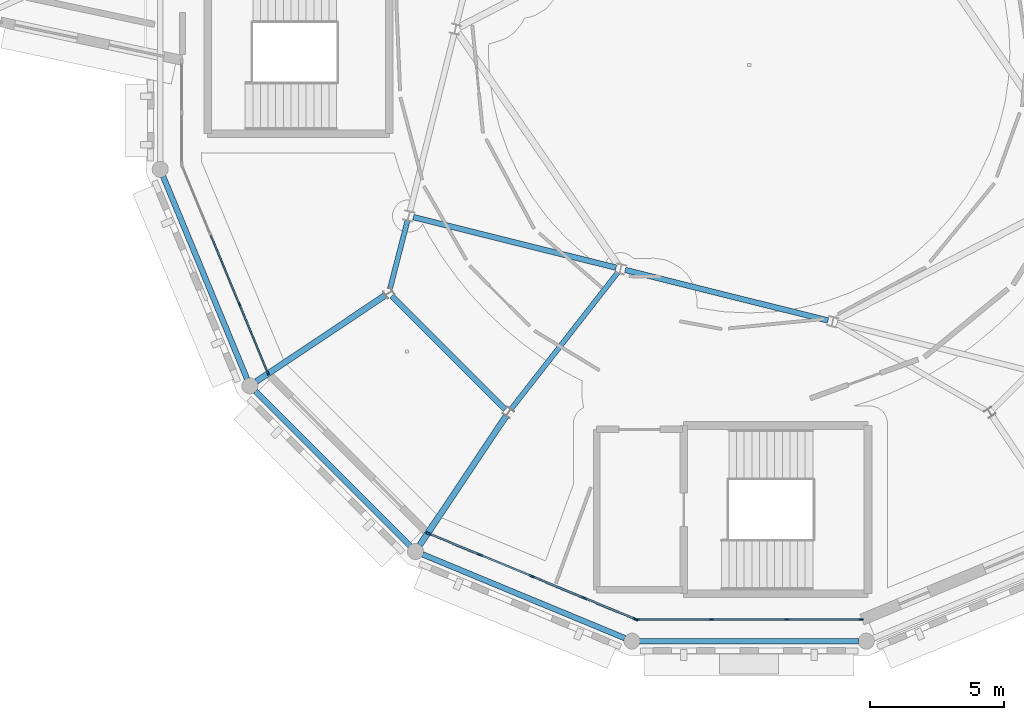
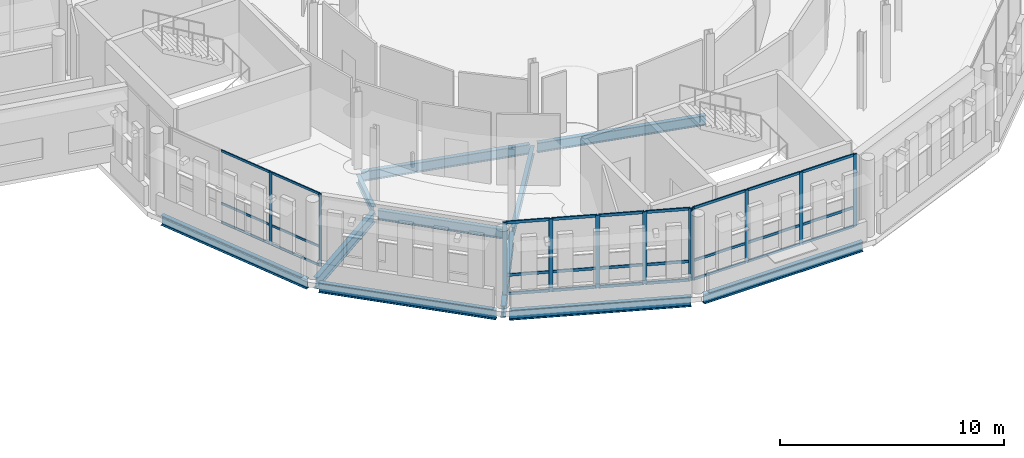
# One storey, part 54 of 125: 38 members, 11 beams, 3 elements without a shape of their own.
"""IFC4 building model written with IfcOpenShell, lengths in metres."""

from ifc_helpers import new_model, si_unit, direction, frame, origin, origin_2d, place, context, subcontext, project, spatial, rectangle, i_section, extrude, material, material_profile, profile_set, type_object, element, aggregate, save


model = new_model("IFC4")

# Units and contexts
model_context = context("Model", 3, precision=1e-05, world=origin(), true_north=direction((0.0, 1.0)))
body_context = subcontext(model_context, "Body", "Model", "MODEL_VIEW")
ifc_project = project(units=[si_unit("LENGTHUNIT", "METRE"), si_unit("AREAUNIT", "SQUARE_METRE"), si_unit("VOLUMEUNIT", "CUBIC_METRE"), si_unit("PLANEANGLEUNIT", "RADIAN"), si_unit("MASSUNIT", "GRAM", prefix="KILO")], contexts=[model_context])

# Site, building, storey
site_placement = place(None, origin())
site = spatial("IfcSite", under=ifc_project, at=site_placement, CompositionType="ELEMENT")
building_placement = place(site_placement, origin())
building = spatial("IfcBuilding", under=site, at=building_placement, Name="Wrenclough Park School", CompositionType="ELEMENT")
storey_placement = place(building_placement, frame((0.0, 0.0, 4.199951171875)))
storey = spatial("IfcBuildingStorey", under=building, at=storey_placement, Name="L01", CompositionType="ELEMENT", Elevation=4.199951171875)

# Curtain wall, members
ifc_material_1 = material(Name="Thermally broken aluminium and low-e glass curtain wall", Category="aluminium")
curtain_wall_type_1 = type_object("IfcCurtainWallType", Name="ENV-CW-02", PredefinedType="USERDEFINED", material=ifc_material_1)
curtain_wall_1_placement = place(storey_placement, origin())
curtain_wall_1 = element("IfcCurtainWall", 1, at=curtain_wall_1_placement, inside=storey, type_object=curtain_wall_type_1, Name="L01 recessed curtain wall assembly 129", ObjectType="CURTAIN WALL", PredefinedType="USERDEFINED")
ifc_material_2 = material(Name="Thermally broken anodised aluminium", Category="aluminium")
ifc_material_profile_1 = material_profile(ifc_material_2, rectangle(XDim=0.06005859375, YDim=0.159912109375, at=origin_2d()), Name="AL MULLION 60x160")
ifc_profile_set_1 = profile_set([ifc_material_profile_1], Name="Thermally broken anodised aluminium")
member_type_1 = type_object("IfcMemberType", Name="ENV-CWM-1", PredefinedType="MULLION", material=ifc_profile_set_1)
member_1_placement = place(storey_placement, frame((137.504150390625, 14.515869140625, 0.0), z_axis=(0.0, 0.0, 1.0), x_axis=(-0.923878191205, -0.382686670549, 0.0)))
member_1 = element("IfcMember", 2, at=member_1_placement, type_object=member_type_1, Name="CW-02 mullion 1", PredefinedType="MULLION", context=body_context, shape_type="SweptSolid", body=[
    extrude(rectangle(XDim=0.06005859375, YDim=0.159912109375, at=origin_2d()), origin(), (0.0, 0.0, 1.0), 3.93994140625),
])
member_2_placement = place(storey_placement, frame((136.440185546875, 17.08447265625, 0.0), z_axis=(0.0, 0.0, 1.0), x_axis=(-0.923878191205, -0.382686670549, 0.0)))
member_2 = element("IfcMember", 3, at=member_2_placement, type_object=member_type_1, Name="CW-02 mullion 2", PredefinedType="MULLION", context=body_context, shape_type="SweptSolid", body=[
    extrude(rectangle(XDim=0.06005859375, YDim=0.159912109375, at=origin_2d()), origin(), (0.0, 0.0, 1.0), 3.93994140625),
])

curtain_wall_type_2 = type_object("IfcCurtainWallType", Name="ENV-CW-16", PredefinedType="USERDEFINED", material=ifc_material_1)
curtain_wall_2_placement = place(storey_placement, origin())
curtain_wall_2 = element("IfcCurtainWall", 4, at=curtain_wall_2_placement, inside=storey, type_object=curtain_wall_type_2, Name="L01 recessed curtain wall assembly 127", ObjectType="CURTAIN WALL", PredefinedType="USERDEFINED")
ifc_material_profile_2 = material_profile(ifc_material_2, rectangle(XDim=0.06494140625, YDim=0.179931640625, at=origin_2d()), Name="AL MULLION 65x180")
ifc_profile_set_2 = profile_set([ifc_material_profile_2], Name="Thermally broken anodised aluminium")
member_type_2 = type_object("IfcMemberType", Name="ENV-CWM-2", PredefinedType="MULLION", material=ifc_profile_set_2)
member_3_placement = place(storey_placement, frame((159.682861328125, 5.287841796875, 0.0), z_axis=(0.0, 0.0, 1.0), x_axis=(0.0, -1.0, 0.0)))
member_3 = element("IfcMember", 5, at=member_3_placement, type_object=member_type_2, Name="CW-16 mullion 1", PredefinedType="MULLION", context=body_context, shape_type="SweptSolid", body=[
    extrude(rectangle(XDim=0.06494140625, YDim=0.179931640625, at=origin_2d()), origin(), (0.0, 0.0, 1.0), 3.93994140625),
])
member_4_placement = place(storey_placement, frame((156.905029296875, 5.287841796875, 0.0), z_axis=(0.0, 0.0, 1.0), x_axis=(0.0, -1.0, 0.0)))
member_4 = element("IfcMember", 6, at=member_4_placement, type_object=member_type_2, Name="CW-16 mullion 2", PredefinedType="MULLION", context=body_context, shape_type="SweptSolid", body=[
    extrude(rectangle(XDim=0.06494140625, YDim=0.179931640625, at=origin_2d()), origin(), (0.0, 0.0, 1.0), 3.93994140625),
])
member_5_placement = place(storey_placement, frame((154.094970703125, 5.287841796875, 0.0), z_axis=(0.0, 0.0, 1.0), x_axis=(0.0, -1.0, 0.0)))
member_5 = element("IfcMember", 7, at=member_5_placement, type_object=member_type_2, Name="CW-16 mullion 3", PredefinedType="MULLION", context=body_context, shape_type="SweptSolid", body=[
    extrude(rectangle(XDim=0.06494140625, YDim=0.179931640625, at=origin_2d()), origin(), (0.0, 0.0, 1.0), 3.93994140625),
])
member_6_placement = place(storey_placement, frame((151.317138671875, 5.287841796875, 0.0), z_axis=(0.0, 0.0, 1.0), x_axis=(0.0, -1.0, 0.0)))
member_6 = element("IfcMember", 8, at=member_6_placement, type_object=member_type_2, Name="CW-16 mullion 4", PredefinedType="MULLION", context=body_context, shape_type="SweptSolid", body=[
    extrude(rectangle(XDim=0.06494140625, YDim=0.179931640625, at=origin_2d()), origin(), (0.0, 0.0, 1.0), 3.93994140625),
])

curtain_wall_type_3 = type_object("IfcCurtainWallType", Name="ENV-CW-01", PredefinedType="USERDEFINED", material=ifc_material_1)
curtain_wall_3_placement = place(storey_placement, origin())
curtain_wall_3 = element("IfcCurtainWall", 9, at=curtain_wall_3_placement, inside=storey, type_object=curtain_wall_type_3, Name="L01 recessed curtain wall assembly 128", ObjectType="CURTAIN WALL", PredefinedType="USERDEFINED")
ifc_material_profile_3 = material_profile(ifc_material_2, rectangle(XDim=0.070068359375, YDim=0.199951171875, at=origin_2d()), Name="AL MULLION 70x200")
ifc_profile_set_3 = profile_set([ifc_material_profile_3], Name="Thermally broken anodised aluminium")
member_type_3 = type_object("IfcMemberType", Name="ENV-CWM-3", PredefinedType="MULLION", material=ifc_profile_set_3)
member_7_placement = place(storey_placement, frame((151.24462890625, 5.302734375, 0.0), z_axis=(0.0, 0.0, 1.0), x_axis=(-0.382686670549, -0.923878191205, 0.0)))
member_7 = element("IfcMember", 10, at=member_7_placement, type_object=member_type_3, Name="CW-01 mullion 1", PredefinedType="MULLION", context=body_context, shape_type="SweptSolid", body=[
    extrude(rectangle(XDim=0.070068359375, YDim=0.199951171875, at=origin_2d()), origin(), (0.0, 0.0, 1.0), 3.93994140625),
])
member_8_placement = place(storey_placement, frame((149.329833984375, 6.095947265625, 0.0), z_axis=(0.0, 0.0, 1.0), x_axis=(-0.382686670549, -0.923878191205, 0.0)))
member_8 = element("IfcMember", 11, at=member_8_placement, type_object=member_type_3, Name="CW-01 mullion 2", PredefinedType="MULLION", context=body_context, shape_type="SweptSolid", body=[
    extrude(rectangle(XDim=0.070068359375, YDim=0.199951171875, at=origin_2d()), origin(), (0.0, 0.0, 1.0), 3.93994140625),
])
member_9_placement = place(storey_placement, frame((147.382568359375, 6.902587890625, 0.0), z_axis=(0.0, 0.0, 1.0), x_axis=(-0.382686670549, -0.923878191205, 0.0)))
member_9 = element("IfcMember", 12, at=member_9_placement, type_object=member_type_3, Name="CW-01 mullion 3", PredefinedType="MULLION", context=body_context, shape_type="SweptSolid", body=[
    extrude(rectangle(XDim=0.070068359375, YDim=0.199951171875, at=origin_2d()), origin(), (0.0, 0.0, 1.0), 3.93994140625),
])
member_10_placement = place(storey_placement, frame((145.435302734375, 7.709228515625, 0.0), z_axis=(0.0, 0.0, 1.0), x_axis=(-0.382686670549, -0.923878191205, 0.0)))
member_10 = element("IfcMember", 13, at=member_10_placement, type_object=member_type_3, Name="CW-01 mullion 4", PredefinedType="MULLION", context=body_context, shape_type="SweptSolid", body=[
    extrude(rectangle(XDim=0.070068359375, YDim=0.199951171875, at=origin_2d()), origin(), (0.0, 0.0, 1.0), 3.93994140625),
])
member_11_placement = place(storey_placement, frame((143.5205078125, 8.502197265625, 0.0), z_axis=(0.0, 0.0, 1.0), x_axis=(-0.382686670549, -0.923878191205, 0.0)))
member_11 = element("IfcMember", 14, at=member_11_placement, type_object=member_type_3, Name="CW-01 mullion 5", PredefinedType="MULLION", context=body_context, shape_type="SweptSolid", body=[
    extrude(rectangle(XDim=0.070068359375, YDim=0.199951171875, at=origin_2d()), origin(), (0.0, 0.0, 1.0), 3.93994140625),
])

# Member
ifc_material_profile_4 = material_profile(ifc_material_2, rectangle(XDim=0.06005859375, YDim=0.1201171875, at=origin_2d()), Name="AL TRANSOM 60x120")
ifc_profile_set_4 = profile_set([ifc_material_profile_4], Name="Thermally broken anodised aluminium")
member_type_4 = type_object("IfcMemberType", Name="ENV-CWT-1", PredefinedType="USERDEFINED", material=ifc_profile_set_4)
member_12_placement = place(storey_placement, frame((137.49267578125, 14.54345703125, 0.030029296875), z_axis=(-0.382689988948, 0.923876816658, 0.0), x_axis=(-0.923876816658, -0.382689988948, 0.0)))
member_12 = element("IfcMember", 15, at=member_12_placement, type_object=member_type_4, Name="CW-02 transom 1.1", ObjectType="TRANSOM", PredefinedType="USERDEFINED", context=body_context, shape_type="SweptSolid", body=[
    extrude(rectangle(XDim=0.06005859375, YDim=0.1201171875, at=origin_2d()), origin(), (0.0, 0.0, 1.0), 2.72021484375),
])

member_13_placement = place(storey_placement, frame((137.49267578125, 14.54345703125, 1.050048828125), z_axis=(-0.382689988948, 0.923876816658, 0.0), x_axis=(-0.923876816658, -0.382689988948, 0.0)))
member_13 = element("IfcMember", 16, at=member_13_placement, type_object=member_type_4, Name="CW-02 transom 1.2", ObjectType="TRANSOM", PredefinedType="USERDEFINED", context=body_context, shape_type="SweptSolid", body=[
    extrude(rectangle(XDim=0.06005859375, YDim=0.1201171875, at=origin_2d()), origin(), (0.0, 0.0, 1.0), 2.72021484375),
])

member_14_placement = place(storey_placement, frame((137.49267578125, 14.54345703125, 3.91015625), z_axis=(-0.382689988948, 0.923876816658, 0.0), x_axis=(-0.923876816658, -0.382689988948, 0.0)))
member_14 = element("IfcMember", 17, at=member_14_placement, type_object=member_type_4, Name="CW-02 transom 1.3", ObjectType="TRANSOM", PredefinedType="USERDEFINED", context=body_context, shape_type="SweptSolid", body=[
    extrude(rectangle(XDim=0.06005859375, YDim=0.1201171875, at=origin_2d()), origin(), (0.0, 0.0, 1.0), 2.72021484375),
])

member_15_placement = place(storey_placement, frame((136.4287109375, 17.112060546875, 0.030029296875), z_axis=(-0.382673222179, 0.923883761643, 0.0), x_axis=(-0.923883761643, -0.382673222179, 0.0)))
member_15 = element("IfcMember", 18, at=member_15_placement, type_object=member_type_4, Name="CW-02 transom 2.1", ObjectType="TRANSOM", PredefinedType="USERDEFINED", context=body_context, shape_type="SweptSolid", body=[
    extrude(rectangle(XDim=0.06005859375, YDim=0.1201171875, at=origin_2d()), origin(), (0.0, 0.0, 1.0), 2.750244140625),
])

member_16_placement = place(storey_placement, frame((136.4287109375, 17.112060546875, 1.050048828125), z_axis=(-0.382673222179, 0.923883761643, 0.0), x_axis=(-0.923883761643, -0.382673222179, 0.0)))
member_16 = element("IfcMember", 19, at=member_16_placement, type_object=member_type_4, Name="CW-02 transom 2.2", ObjectType="TRANSOM", PredefinedType="USERDEFINED", context=body_context, shape_type="SweptSolid", body=[
    extrude(rectangle(XDim=0.06005859375, YDim=0.1201171875, at=origin_2d()), origin(), (0.0, 0.0, 1.0), 2.750244140625),
])

member_17_placement = place(storey_placement, frame((136.4287109375, 17.112060546875, 3.91015625), z_axis=(-0.382673222179, 0.923883761643, 0.0), x_axis=(-0.923883761643, -0.382673222179, 0.0)))
member_17 = element("IfcMember", 20, at=member_17_placement, type_object=member_type_4, Name="CW-02 transom 2.3", ObjectType="TRANSOM", PredefinedType="USERDEFINED", context=body_context, shape_type="SweptSolid", body=[
    extrude(rectangle(XDim=0.06005859375, YDim=0.1201171875, at=origin_2d()), origin(), (0.0, 0.0, 1.0), 2.750244140625),
])

aggregate(curtain_wall_1, [member_1, member_2, member_12, member_13, member_14, member_15, member_16, member_17])

ifc_material_profile_5 = material_profile(ifc_material_2, rectangle(XDim=0.06494140625, YDim=0.139892578125, at=origin_2d()), Name="AL TRANSOM 65x140")
ifc_profile_set_5 = profile_set([ifc_material_profile_5], Name="Thermally broken anodised aluminium")
member_type_5 = type_object("IfcMemberType", Name="ENV-CWT-2", PredefinedType="USERDEFINED", material=ifc_profile_set_5)
member_18_placement = place(storey_placement, frame((159.650390625, 5.287841796875, 0.032470703125), z_axis=(-1.0, 0.0, 0.0), x_axis=(0.0, -1.0, 0.0)))
member_18 = element("IfcMember", 21, at=member_18_placement, type_object=member_type_5, Name="CW-16 transom 1.1", ObjectType="TRANSOM", PredefinedType="USERDEFINED", context=body_context, shape_type="SweptSolid", body=[
    extrude(rectangle(XDim=0.06494140625, YDim=0.139892578125, at=origin_2d()), origin(), (0.0, 0.0, 1.0), 2.712890625),
])

member_19_placement = place(storey_placement, frame((159.650390625, 5.287841796875, 1.050048828125), z_axis=(-1.0, 0.0, 0.0), x_axis=(0.0, -1.0, 0.0)))
member_19 = element("IfcMember", 22, at=member_19_placement, type_object=member_type_5, Name="CW-16 transom 1.2", ObjectType="TRANSOM", PredefinedType="USERDEFINED", context=body_context, shape_type="SweptSolid", body=[
    extrude(rectangle(XDim=0.06494140625, YDim=0.139892578125, at=origin_2d()), origin(), (0.0, 0.0, 1.0), 2.712890625),
])

member_20_placement = place(storey_placement, frame((159.650390625, 5.287841796875, 3.907470703125), z_axis=(-1.0, 0.0, 0.0), x_axis=(0.0, -1.0, 0.0)))
member_20 = element("IfcMember", 23, at=member_20_placement, type_object=member_type_5, Name="CW-16 transom 1.3", ObjectType="TRANSOM", PredefinedType="USERDEFINED", context=body_context, shape_type="SweptSolid", body=[
    extrude(rectangle(XDim=0.06494140625, YDim=0.139892578125, at=origin_2d()), origin(), (0.0, 0.0, 1.0), 2.712890625),
])

member_21_placement = place(storey_placement, frame((156.87255859375, 5.287841796875, 0.032470703125), z_axis=(-1.0, 0.0, 0.0), x_axis=(0.0, -1.0, 0.0)))
member_21 = element("IfcMember", 24, at=member_21_placement, type_object=member_type_5, Name="CW-16 transom 2.1", ObjectType="TRANSOM", PredefinedType="USERDEFINED", context=body_context, shape_type="SweptSolid", body=[
    extrude(rectangle(XDim=0.06494140625, YDim=0.139892578125, at=origin_2d()), origin(), (0.0, 0.0, 1.0), 2.7451171875),
])

member_22_placement = place(storey_placement, frame((156.87255859375, 5.287841796875, 1.050048828125), z_axis=(-1.0, 0.0, 0.0), x_axis=(0.0, -1.0, 0.0)))
member_22 = element("IfcMember", 25, at=member_22_placement, type_object=member_type_5, Name="CW-16 transom 2.2", ObjectType="TRANSOM", PredefinedType="USERDEFINED", context=body_context, shape_type="SweptSolid", body=[
    extrude(rectangle(XDim=0.06494140625, YDim=0.139892578125, at=origin_2d()), origin(), (0.0, 0.0, 1.0), 2.7451171875),
])

member_23_placement = place(storey_placement, frame((156.87255859375, 5.287841796875, 3.907470703125), z_axis=(-1.0, 0.0, 0.0), x_axis=(0.0, -1.0, 0.0)))
member_23 = element("IfcMember", 26, at=member_23_placement, type_object=member_type_5, Name="CW-16 transom 2.3", ObjectType="TRANSOM", PredefinedType="USERDEFINED", context=body_context, shape_type="SweptSolid", body=[
    extrude(rectangle(XDim=0.06494140625, YDim=0.139892578125, at=origin_2d()), origin(), (0.0, 0.0, 1.0), 2.7451171875),
])

member_24_placement = place(storey_placement, frame((154.0625, 5.287841796875, 0.032470703125), z_axis=(-1.0, 0.0, 0.0), x_axis=(0.0, -1.0, 0.0)))
member_24 = element("IfcMember", 27, at=member_24_placement, type_object=member_type_5, Name="CW-16 transom 3.1", ObjectType="TRANSOM", PredefinedType="USERDEFINED", context=body_context, shape_type="SweptSolid", body=[
    extrude(rectangle(XDim=0.06494140625, YDim=0.139892578125, at=origin_2d()), origin(), (0.0, 0.0, 1.0), 2.712890625),
])

member_25_placement = place(storey_placement, frame((154.0625, 5.287841796875, 1.050048828125), z_axis=(-1.0, 0.0, 0.0), x_axis=(0.0, -1.0, 0.0)))
member_25 = element("IfcMember", 28, at=member_25_placement, type_object=member_type_5, Name="CW-16 transom 3.2", ObjectType="TRANSOM", PredefinedType="USERDEFINED", context=body_context, shape_type="SweptSolid", body=[
    extrude(rectangle(XDim=0.06494140625, YDim=0.139892578125, at=origin_2d()), origin(), (0.0, 0.0, 1.0), 2.712890625),
])

member_26_placement = place(storey_placement, frame((154.0625, 5.287841796875, 3.907470703125), z_axis=(-1.0, 0.0, 0.0), x_axis=(0.0, -1.0, 0.0)))
member_26 = element("IfcMember", 29, at=member_26_placement, type_object=member_type_5, Name="CW-16 transom 3.3", ObjectType="TRANSOM", PredefinedType="USERDEFINED", context=body_context, shape_type="SweptSolid", body=[
    extrude(rectangle(XDim=0.06494140625, YDim=0.139892578125, at=origin_2d()), origin(), (0.0, 0.0, 1.0), 2.712890625),
])

aggregate(curtain_wall_2, [member_3, member_4, member_5, member_6, member_18, member_19, member_20, member_21, member_22, member_23, member_24, member_25, member_26])

ifc_material_profile_6 = material_profile(ifc_material_2, rectangle(XDim=0.070068359375, YDim=0.14990234375, at=origin_2d()), Name="AL TRANSOM 70x150")
ifc_profile_set_6 = profile_set([ifc_material_profile_6], Name="Thermally broken anodised aluminium")
member_type_6 = type_object("IfcMemberType", Name="ENV-CWT-3", PredefinedType="USERDEFINED", material=ifc_profile_set_6)
member_27_placement = place(storey_placement, frame((151.21240234375, 5.316162109375, 0.03515625), z_axis=(-0.923893521295, 0.382649658708, 0.0), x_axis=(-0.382649658708, -0.923893521295, 0.0)))
member_27 = element("IfcMember", 30, at=member_27_placement, type_object=member_type_6, Name="CW-01 transom 1.1", ObjectType="TRANSOM", PredefinedType="USERDEFINED", context=body_context, shape_type="SweptSolid", body=[
    extrude(rectangle(XDim=0.070068359375, YDim=0.14990234375, at=origin_2d()), origin(), (0.0, 0.0, 1.0), 2.002685546875),
])

member_28_placement = place(storey_placement, frame((151.21240234375, 5.316162109375, 1.050048828125), z_axis=(-0.923893521295, 0.382649658708, 0.0), x_axis=(-0.382649658708, -0.923893521295, 0.0)))
member_28 = element("IfcMember", 31, at=member_28_placement, type_object=member_type_6, Name="CW-01 transom 1.2", ObjectType="TRANSOM", PredefinedType="USERDEFINED", context=body_context, shape_type="SweptSolid", body=[
    extrude(rectangle(XDim=0.070068359375, YDim=0.14990234375, at=origin_2d()), origin(), (0.0, 0.0, 1.0), 2.002685546875),
])

member_29_placement = place(storey_placement, frame((151.21240234375, 5.316162109375, 3.905029296875), z_axis=(-0.923893521295, 0.382649658708, 0.0), x_axis=(-0.382649658708, -0.923893521295, 0.0)))
member_29 = element("IfcMember", 32, at=member_29_placement, type_object=member_type_6, Name="CW-01 transom 1.3", ObjectType="TRANSOM", PredefinedType="USERDEFINED", context=body_context, shape_type="SweptSolid", body=[
    extrude(rectangle(XDim=0.070068359375, YDim=0.14990234375, at=origin_2d()), origin(), (0.0, 0.0, 1.0), 2.002685546875),
])

member_30_placement = place(storey_placement, frame((149.29736328125, 6.109375, 0.03515625), z_axis=(-0.923879565529, 0.382683352652, 0.0), x_axis=(-0.382683352652, -0.923879565529, 0.0)))
member_30 = element("IfcMember", 33, at=member_30_placement, type_object=member_type_6, Name="CW-01 transom 2.1", ObjectType="TRANSOM", PredefinedType="USERDEFINED", context=body_context, shape_type="SweptSolid", body=[
    extrude(rectangle(XDim=0.070068359375, YDim=0.14990234375, at=origin_2d()), origin(), (0.0, 0.0, 1.0), 2.03759765625),
])

member_31_placement = place(storey_placement, frame((149.29736328125, 6.109375, 1.050048828125), z_axis=(-0.923879565529, 0.382683352652, 0.0), x_axis=(-0.382683352652, -0.923879565529, 0.0)))
member_31 = element("IfcMember", 34, at=member_31_placement, type_object=member_type_6, Name="CW-01 transom 2.2", ObjectType="TRANSOM", PredefinedType="USERDEFINED", context=body_context, shape_type="SweptSolid", body=[
    extrude(rectangle(XDim=0.070068359375, YDim=0.14990234375, at=origin_2d()), origin(), (0.0, 0.0, 1.0), 2.03759765625),
])

member_32_placement = place(storey_placement, frame((149.29736328125, 6.109375, 3.905029296875), z_axis=(-0.923879565529, 0.382683352652, 0.0), x_axis=(-0.382683352652, -0.923879565529, 0.0)))
member_32 = element("IfcMember", 35, at=member_32_placement, type_object=member_type_6, Name="CW-01 transom 2.3", ObjectType="TRANSOM", PredefinedType="USERDEFINED", context=body_context, shape_type="SweptSolid", body=[
    extrude(rectangle(XDim=0.070068359375, YDim=0.14990234375, at=origin_2d()), origin(), (0.0, 0.0, 1.0), 2.03759765625),
])

member_33_placement = place(storey_placement, frame((147.35009765625, 6.916015625, 0.03515625), z_axis=(-0.923862016386, 0.382725717294, 0.0), x_axis=(-0.382725717294, -0.923862016386, 0.0)))
member_33 = element("IfcMember", 36, at=member_33_placement, type_object=member_type_6, Name="CW-01 transom 3.1", ObjectType="TRANSOM", PredefinedType="USERDEFINED", context=body_context, shape_type="SweptSolid", body=[
    extrude(rectangle(XDim=0.070068359375, YDim=0.14990234375, at=origin_2d()), origin(), (0.0, 0.0, 1.0), 2.037353515625),
])

member_34_placement = place(storey_placement, frame((147.35009765625, 6.916015625, 1.050048828125), z_axis=(-0.923862016386, 0.382725717294, 0.0), x_axis=(-0.382725717294, -0.923862016386, 0.0)))
member_34 = element("IfcMember", 37, at=member_34_placement, type_object=member_type_6, Name="CW-01 transom 3.2", ObjectType="TRANSOM", PredefinedType="USERDEFINED", context=body_context, shape_type="SweptSolid", body=[
    extrude(rectangle(XDim=0.070068359375, YDim=0.14990234375, at=origin_2d()), origin(), (0.0, 0.0, 1.0), 2.037353515625),
])

member_35_placement = place(storey_placement, frame((147.35009765625, 6.916015625, 3.905029296875), z_axis=(-0.923862016386, 0.382725717294, 0.0), x_axis=(-0.382725717294, -0.923862016386, 0.0)))
member_35 = element("IfcMember", 38, at=member_35_placement, type_object=member_type_6, Name="CW-01 transom 3.3", ObjectType="TRANSOM", PredefinedType="USERDEFINED", context=body_context, shape_type="SweptSolid", body=[
    extrude(rectangle(XDim=0.070068359375, YDim=0.14990234375, at=origin_2d()), origin(), (0.0, 0.0, 1.0), 2.037353515625),
])

member_36_placement = place(storey_placement, frame((145.403076171875, 7.722412109375, 0.03515625), z_axis=(-0.923850421813, 0.382753704248, 0.0), x_axis=(-0.382753704248, -0.923850421813, 0.0)))
member_36 = element("IfcMember", 39, at=member_36_placement, type_object=member_type_6, Name="CW-01 transom 4.1", ObjectType="TRANSOM", PredefinedType="USERDEFINED", context=body_context, shape_type="SweptSolid", body=[
    extrude(rectangle(XDim=0.070068359375, YDim=0.14990234375, at=origin_2d()), origin(), (0.0, 0.0, 1.0), 2.0029296875),
])

member_37_placement = place(storey_placement, frame((145.403076171875, 7.722412109375, 1.050048828125), z_axis=(-0.923850421813, 0.382753704248, 0.0), x_axis=(-0.382753704248, -0.923850421813, 0.0)))
member_37 = element("IfcMember", 40, at=member_37_placement, type_object=member_type_6, Name="CW-01 transom 4.2", ObjectType="TRANSOM", PredefinedType="USERDEFINED", context=body_context, shape_type="SweptSolid", body=[
    extrude(rectangle(XDim=0.070068359375, YDim=0.14990234375, at=origin_2d()), origin(), (0.0, 0.0, 1.0), 2.0029296875),
])

member_38_placement = place(storey_placement, frame((145.403076171875, 7.722412109375, 3.905029296875), z_axis=(-0.923850421813, 0.382753704248, 0.0), x_axis=(-0.382753704248, -0.923850421813, 0.0)))
member_38 = element("IfcMember", 41, at=member_38_placement, type_object=member_type_6, Name="CW-01 transom 4.3", ObjectType="TRANSOM", PredefinedType="USERDEFINED", context=body_context, shape_type="SweptSolid", body=[
    extrude(rectangle(XDim=0.070068359375, YDim=0.14990234375, at=origin_2d()), origin(), (0.0, 0.0, 1.0), 2.0029296875),
])

aggregate(curtain_wall_3, [member_7, member_8, member_9, member_10, member_11, member_27, member_28, member_29, member_30, member_31, member_32, member_33, member_34, member_35, member_36, member_37, member_38])

# Beams
ifc_material_3 = material(Name="Structural steel S355", Category="steel")
ifc_material_profile_7 = material_profile(ifc_material_3, i_section(OverallWidth=0.18994140625, OverallDepth=0.453369140625, WebThickness=0.008544921875, FlangeThickness=0.0126953125, FilletRadius=0.01025390625, at=origin_2d()), Name="UKB 457x191x67")
ifc_profile_set_7 = profile_set([ifc_material_profile_7], Name="Structural steel S355")
beam_type_1 = type_object("IfcBeamType", Name="STR-BM-UKB457A", PredefinedType="BEAM", material=ifc_profile_set_7)
beam_1_placement = place(storey_placement, frame((142.727294921875, 20.2041015625, -0.49169921875), z_axis=(-0.249634284723, -0.968340190166, 0.0), x_axis=(0.968340190166, -0.249634284723, 0.0)))
element("IfcBeam", 42, at=beam_1_placement, inside=storey, type_object=beam_type_1, Name="Primary frame continuity tie beam 0001", PredefinedType="BEAM", context=body_context, shape_type="SweptSolid", body=[
    extrude(i_section(OverallWidth=0.18994140625, OverallDepth=0.453369140625, WebThickness=0.008544921875, FlangeThickness=0.0126953125, FilletRadius=0.01025390625, at=origin_2d()), origin(), (0.0, 0.0, 1.0), 2.6357421875),
])
beam_2_placement = place(storey_placement, frame((150.5859375, 18.2607421875, -0.49169921875), z_axis=(-0.615616260814, -0.788046076966, 0.0), x_axis=(0.788046076966, -0.615616260814, 0.0)))
element("IfcBeam", 43, at=beam_2_placement, inside=storey, type_object=beam_type_1, Name="Primary frame continuity tie beam 0013", PredefinedType="BEAM", context=body_context, shape_type="SweptSolid", body=[
    extrude(i_section(OverallWidth=0.18994140625, OverallDepth=0.453369140625, WebThickness=0.008544921875, FlangeThickness=0.0126953125, FilletRadius=0.01025390625, at=origin_2d()), origin(), (0.0, 0.0, 1.0), 6.48046875),
])
ifc_material_profile_8 = material_profile(ifc_material_3, i_section(OverallWidth=0.209228515625, OverallDepth=0.533203125, WebThickness=0.010009765625, FlangeThickness=0.015625, FilletRadius=0.0126953125, at=origin_2d()), Name="UKB 533x210x92")
ifc_profile_set_8 = profile_set([ifc_material_profile_8], Name="Structural steel S355")
beam_type_2 = type_object("IfcBeamType", Name="STR-BM-UKB533A", PredefinedType="BEAM", material=ifc_profile_set_8)
beam_3_placement = place(storey_placement, frame((142.14111328125, 17.388916015625, -0.531494140625), z_axis=(0.707106781187, -0.707106781187, 0.0), x_axis=(0.707106781187, 0.707106781187, 0.0)))
element("IfcBeam", 44, at=beam_3_placement, inside=storey, type_object=beam_type_2, Name="D1 L01 middle ring beam 10", PredefinedType="BEAM", context=body_context, shape_type="SweptSolid", body=[
    extrude(i_section(OverallWidth=0.209228515625, OverallDepth=0.533203125, WebThickness=0.010009765625, FlangeThickness=0.015625, FilletRadius=0.0126953125, at=origin_2d()), origin(), (0.0, 0.0, 1.0), 6.00732421875),
])
for number, where, z_axis, x_axis, name in (
    (45, (142.945556640625, 20.333984375, -0.531494140625), (0.970304120447, -0.241888225928, 0.0), (0.241888225928, 0.970304120447, 0.0), "D1 L01 hall frame girder 0.3"),
    (46, (150.86962890625, 18.3583984375, -0.531494140625), (0.970296782276, -0.241917660177, 0.0), (0.241917660177, 0.970296782276, 0.0), "D1 L01 hall frame girder 3.5"),
):
    element("IfcBeam", number, at=place(storey_placement, frame(where, z_axis=z_axis, x_axis=x_axis)), inside=storey, type_object=beam_type_2, Name=name, PredefinedType="BEAM", context=body_context, shape_type="SweptSolid", body=[
        extrude(i_section(OverallWidth=0.209228515625, OverallDepth=0.533203125, WebThickness=0.010009765625, FlangeThickness=0.015625, FilletRadius=0.0126953125, at=origin_2d()), origin(), (0.0, 0.0, 1.0), 7.80908203125),
    ])
ifc_material_profile_9 = material_profile(ifc_material_3, i_section(OverallWidth=0.210693359375, OverallDepth=0.53955078125, WebThickness=0.01171875, FlangeThickness=0.018798828125, FilletRadius=0.0126953125, at=origin_2d()), Name="UKB 533x210x109")
ifc_profile_set_9 = profile_set([ifc_material_profile_9], Name="Structural steel S355")
beam_type_3 = type_object("IfcBeamType", Name="STR-BM-UKB533B", PredefinedType="SPANDREL", material=ifc_profile_set_9)
for number, where, z_axis, x_axis, name in (
    (47, (133.591552734375, 21.85400390625, -0.53466796875), (0.382699586795, -0.923872840962, 0.0), (0.923872840962, 0.382699586795, 0.0), "D1 L01 outer ring spandrel beam 9"),
    (48, (137.037109375, 13.82373046875, -0.53466796875), (0.707106781187, -0.707106781187, 0.0), (0.707106781187, 0.707106781187, 0.0), "D1 L01 outer ring spandrel beam 10"),
    (49, (143.29345703125, 7.723388671875, -0.53466796875), (0.923872840962, -0.382699586795, 0.0), (0.382699586795, 0.923872840962, 0.0), "D1 L01 outer ring spandrel beam 11"),
    (50, (151.408203125, 4.4814453125, -0.53466796875), (1.0, 0.0, 0.0), (0.0, 1.0, 0.0), "D1 L01 outer ring spandrel beam 12"),
):
    element("IfcBeam", number, at=place(storey_placement, frame(where, z_axis=z_axis, x_axis=x_axis)), inside=storey, type_object=beam_type_3, Name=name, PredefinedType="SPANDREL", context=body_context, shape_type="SweptSolid", body=[
        extrude(i_section(OverallWidth=0.210693359375, OverallDepth=0.53955078125, WebThickness=0.01171875, FlangeThickness=0.018798828125, FilletRadius=0.0126953125, at=origin_2d()), origin(), (0.0, 0.0, 1.0), 8.18359375),
    ])
ifc_material_profile_10 = material_profile(ifc_material_3, i_section(OverallWidth=0.22900390625, OverallDepth=0.6123046875, WebThickness=0.011962890625, FlangeThickness=0.01953125, FilletRadius=0.0126953125, at=origin_2d()), Name="UKB 610x229x125")
ifc_profile_set_10 = profile_set([ifc_material_profile_10], Name="Structural steel S355")
beam_type_4 = type_object("IfcBeamType", Name="STR-BM-UKB610", PredefinedType="BEAM", material=ifc_profile_set_10)
for number, where, z_axis, x_axis, name in (
    (51, (137.072998046875, 14.1875, -0.571044921875), (0.831467507714, 0.555573382746, 0.0), (-0.555573382746, 0.831467507714, 0.0), "D1 L01 radial girder 10"),
    (52, (143.1875, 8.072998046875, -0.571044921875), (0.555573382746, 0.831467507714, 0.0), (-0.831467507714, 0.555573382746, 0.0), "D1 L01 radial girder 11"),
):
    element("IfcBeam", number, at=place(storey_placement, frame(where, z_axis=z_axis, x_axis=x_axis)), inside=storey, type_object=beam_type_4, Name=name, PredefinedType="BEAM", context=body_context, shape_type="SweptSolid", body=[
        extrude(i_section(OverallWidth=0.22900390625, OverallDepth=0.6123046875, WebThickness=0.011962890625, FlangeThickness=0.01953125, FilletRadius=0.0126953125, at=origin_2d()), origin(), (0.0, 0.0, 1.0), 5.804931640625),
    ])

save(model, "model.ifc")
